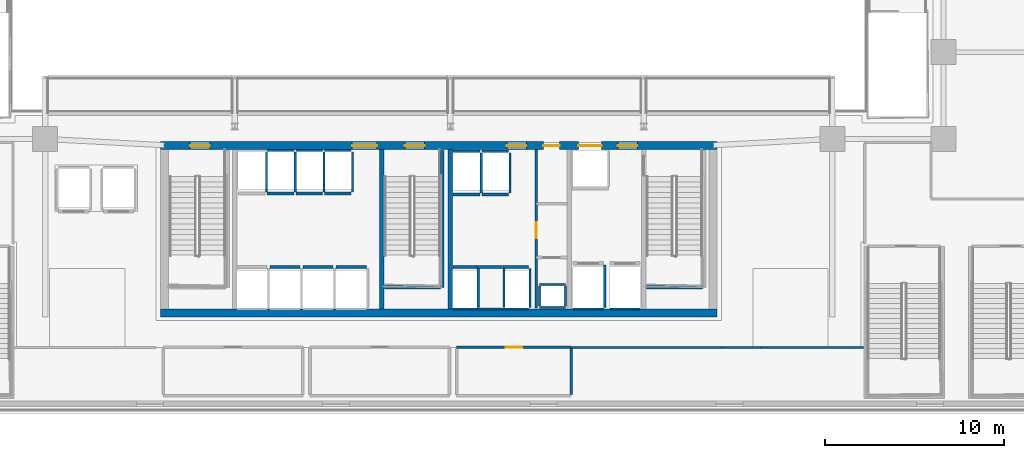
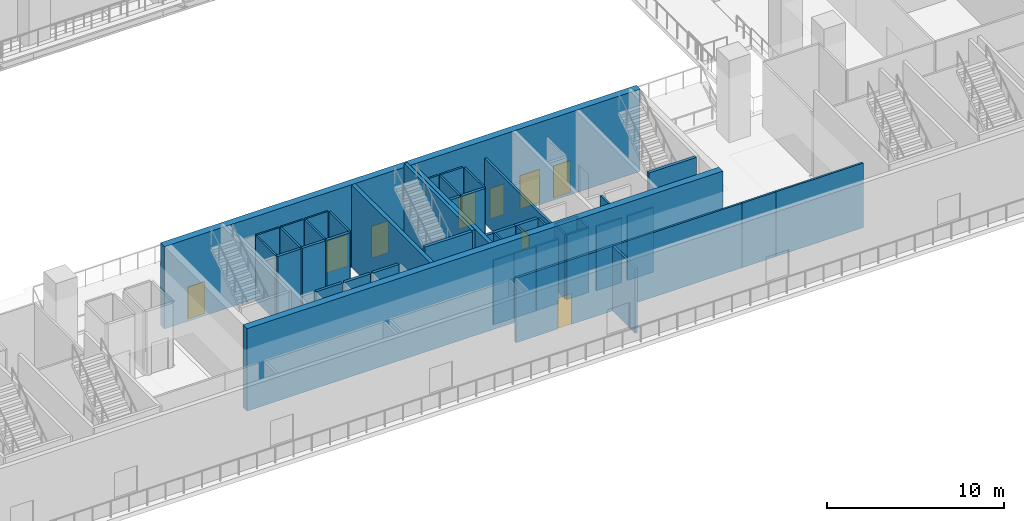
# One storey, part 9 of 28: 48 walls, 9 doors, 9 openings.
"""IFC4 building model written with IfcOpenShell, lengths in metres."""

from ifc_helpers import new_model, si_unit, direction, frame, frame_2d, origin, place, context, subcontext, project, spatial, rectangle, extrude, material, layer, layer_set, type_object, element, fill, save


model = new_model("IFC4")

# Units and contexts
model_context = context("Model", 3, precision=1e-05, world=origin(), true_north=direction((0.0, 1.0)))
body_context = subcontext(model_context, "Body", "Model", "MODEL_VIEW")
ifc_project = project(units=[si_unit("LENGTHUNIT", "METRE"), si_unit("AREAUNIT", "SQUARE_METRE"), si_unit("VOLUMEUNIT", "CUBIC_METRE"), si_unit("PLANEANGLEUNIT", "RADIAN"), si_unit("MASSUNIT", "GRAM", prefix="KILO")], contexts=[model_context])

# Site, building, storey
site_placement = place(None, origin())
site = spatial("IfcSite", under=ifc_project, at=site_placement, CompositionType="ELEMENT")
building_placement = place(site_placement, origin())
building = spatial("IfcBuilding", under=site, at=building_placement, Name="Ndaravel Arena Tower", CompositionType="ELEMENT")
storey_placement = place(building_placement, frame((0.0, 0.0, 18.0)))
storey = spatial("IfcBuildingStorey", under=building, at=storey_placement, Name="L03", CompositionType="ELEMENT", Elevation=18.0)

# Wall, opening, door
ifc_material_1 = material(Name="Gypsum", Category="gypsum")
ifc_layer_1 = layer(ifc_material_1, 0.14990234375)
ifc_layer_set_1 = layer_set([ifc_layer_1], Name="Gypsum")
wall_type_1 = type_object("IfcWallType", Name="WALL-COMP-150", PredefinedType="PARTITIONING", material=ifc_layer_set_1)
wall_1_placement = place(storey_placement, frame((47.449951171875, 5.89990234375, 0.0), z_axis=(0.0, 0.0, 1.0), x_axis=(0.0, 1.0, 0.0)))
wall_1 = element("IfcWall", 1, at=wall_1_placement, inside=storey, type_object=wall_type_1, Name="L03 Core Riser Bay Partition", PredefinedType="PARTITIONING", context=body_context, shape_type="SweptSolid", body=[
    extrude(rectangle(XDim=8.85009765625, YDim=0.14990234375, at=frame_2d((4.425048828125, 0.0))), origin(), (0.0, 0.0, 1.0), 4.469970703125),
])
opening_1_placement = place(wall_1_placement, frame((3.89990234375, 0.0, 0.0)))
opening_1 = element("IfcOpeningElement", 2, at=opening_1_placement, cuts=wall_1, Name="Opening RD-01", PredefinedType="OPENING", context=body_context, shape_type="SweptSolid", body=[
    extrude(rectangle(XDim=0.89990234375, YDim=2.10009765625, at=frame_2d((0.449951171875, 1.050048828125))), frame((0.0, 0.074951171875, 0.0), z_axis=(0.0, -1.0, 0.0), x_axis=(1.0, 0.0, 0.0)), (0.0, 0.0, 1.0), 0.14990234375),
])
ifc_material_2 = material(Name="Steel S355", Category="steel")
door_type_1 = type_object("IfcDoorType", Name="DT-08-RISER-900", OperationType="SINGLE_SWING_LEFT", PredefinedType="DOOR", material=ifc_material_2)
door_1_placement = place(opening_1_placement, origin())
door_1 = element("IfcDoor", 3, at=door_1_placement, inside=storey, type_object=door_type_1, Name="L03 Plumbing Riser Door", OperationType="SINGLE_SWING_LEFT", OverallHeight=2.10009765625, OverallWidth=0.89990234375, PredefinedType="DOOR", context=body_context, shape_type="SweptSolid", body=[
    extrude(rectangle(XDim=0.89990234375, YDim=2.10009765625, at=frame_2d((0.449951171875, 1.050048828125))), frame((0.0, 0.02490234375, 0.0), z_axis=(0.0, -1.0, 0.0), x_axis=(1.0, 0.0, 0.0)), (0.0, 0.0, 1.0), 0.050048828125),
])
fill(opening_1, door_1)

# Walls
ifc_material_3 = material(Name="Concrete C60/75", Category="concrete")
ifc_layer_2 = layer(ifc_material_3, 0.25)
ifc_layer_set_2 = layer_set([ifc_layer_2], Name="Concrete C60/75")
wall_type_2 = type_object("IfcWallType", Name="WALL-CORE-250", PredefinedType="SOLIDWALL", material=ifc_layer_set_2)
for number, where, z_axis, x_axis, name in (
    (4, (38.800048828125, 5.85009765625, 0.0), (0.0, 0.0, 1.0), (0.0, 1.0, 0.0), "L03 Core Web Shear Wall 2"),
    (5, (42.64990234375, 5.85009765625, 0.0), (0.0, 0.0, 1.0), (0.0, 1.0, 0.0), "L03 Core Web Shear Wall 3"),
):
    element("IfcWall", number, at=place(storey_placement, frame(where, z_axis=z_axis, x_axis=x_axis)), inside=storey, type_object=wall_type_2, Name=name, PredefinedType="SOLIDWALL", context=body_context, shape_type="SweptSolid", body=[
        extrude(rectangle(XDim=8.89990234375, YDim=0.25, at=frame_2d((4.449951171875, 0.0))), origin(), (0.0, 0.0, 1.0), 5.699951171875),
    ])

# Wall, openings, doors
ifc_material_4 = material(Name="Concrete C60/75", Category="concrete")
ifc_layer_3 = layer(ifc_material_4, 0.449951171875)
ifc_layer_set_3 = layer_set([ifc_layer_3], Name="Concrete C60/75")
wall_type_3 = type_object("IfcWallType", Name="WALL-CORE-450", PredefinedType="SOLIDWALL", material=ifc_layer_set_3)
wall_2_placement = place(storey_placement, frame((26.449951171875, 14.97509765625, 0.0), z_axis=(0.0, 0.0, 1.0), x_axis=(1.0, 0.0, 0.0)))
wall_2 = element("IfcWall", 6, at=wall_2_placement, inside=storey, type_object=wall_type_3, Name="L03 Core North Shear Wall", PredefinedType="SOLIDWALL", context=body_context, shape_type="SweptSolid", body=[
    extrude(rectangle(XDim=31.10009765625, YDim=0.449951171875, at=frame_2d((15.550048828125, 0.0))), origin(), (0.0, 0.0, 1.0), 5.699951171875),
])
opening_2_placement = place(wall_2_placement, frame((1.64990234375, 0.0, 0.0)))
opening_2 = element("IfcOpeningElement", 7, at=opening_2_placement, cuts=wall_2, Name="Opening FD-01", PredefinedType="OPENING", context=body_context, shape_type="SweptSolid", body=[
    extrude(rectangle(XDim=1.10009765625, YDim=2.199951171875, at=frame_2d((0.550048828125, 1.10009765625))), frame((0.0, 0.22509765625, 0.0), z_axis=(0.0, -1.0, 0.0), x_axis=(1.0, 0.0, 0.0)), (0.0, 0.0, 1.0), 0.449951171875),
])
opening_3_placement = place(wall_2_placement, frame((13.64990234375, 0.0, 0.0)))
opening_3 = element("IfcOpeningElement", 8, at=opening_3_placement, cuts=wall_2, Name="Opening FD-01", PredefinedType="OPENING", context=body_context, shape_type="SweptSolid", body=[
    extrude(rectangle(XDim=1.10009765625, YDim=2.199951171875, at=frame_2d((0.550048828125, 1.10009765625))), frame((0.0, 0.22509765625, 0.0), z_axis=(0.0, -1.0, 0.0), x_axis=(1.0, 0.0, 0.0)), (0.0, 0.0, 1.0), 0.449951171875),
])
opening_4_placement = place(wall_2_placement, frame((25.550048828125, 0.0, 0.0)))
opening_4 = element("IfcOpeningElement", 9, at=opening_4_placement, cuts=wall_2, Name="Opening FD-01", PredefinedType="OPENING", context=body_context, shape_type="SweptSolid", body=[
    extrude(rectangle(XDim=1.10009765625, YDim=2.199951171875, at=frame_2d((0.550048828125, 1.10009765625))), frame((0.0, 0.22509765625, 0.0), z_axis=(0.0, -1.0, 0.0), x_axis=(1.0, 0.0, 0.0)), (0.0, 0.0, 1.0), 0.449951171875),
])
opening_5_placement = place(wall_2_placement, frame((10.699951171875, 0.0, 0.0)))
opening_5 = element("IfcOpeningElement", 10, at=opening_5_placement, cuts=wall_2, Name="Opening ID-02", PredefinedType="OPENING", context=body_context, shape_type="SweptSolid", body=[
    extrude(rectangle(XDim=1.39990234375, YDim=2.199951171875, at=frame_2d((0.699951171875, 1.10009765625))), frame((0.0, 0.22509765625, 0.0), z_axis=(0.0, -1.0, 0.0), x_axis=(1.0, 0.0, 0.0)), (0.0, 0.0, 1.0), 0.449951171875),
])
opening_6_placement = place(wall_2_placement, frame((19.35009765625, 0.0, 0.0)))
opening_6 = element("IfcOpeningElement", 11, at=opening_6_placement, cuts=wall_2, Name="Opening FD-01", PredefinedType="OPENING", context=body_context, shape_type="SweptSolid", body=[
    extrude(rectangle(XDim=1.10009765625, YDim=2.199951171875, at=frame_2d((0.550048828125, 1.10009765625))), frame((0.0, 0.22509765625, 0.0), z_axis=(0.0, -1.0, 0.0), x_axis=(1.0, 0.0, 0.0)), (0.0, 0.0, 1.0), 0.449951171875),
])
opening_7_placement = place(wall_2_placement, frame((21.39990234375, 0.0, 0.0)))
opening_7 = element("IfcOpeningElement", 12, at=opening_7_placement, cuts=wall_2, Name="Opening RD-01", PredefinedType="OPENING", context=body_context, shape_type="SweptSolid", body=[
    extrude(rectangle(XDim=0.89990234375, YDim=2.10009765625, at=frame_2d((0.449951171875, 1.050048828125))), frame((0.0, 0.22509765625, 0.0), z_axis=(0.0, -1.0, 0.0), x_axis=(1.0, 0.0, 0.0)), (0.0, 0.0, 1.0), 0.449951171875),
])
opening_8_placement = place(wall_2_placement, frame((23.35009765625, 0.0, 0.0)))
opening_8 = element("IfcOpeningElement", 13, at=opening_8_placement, cuts=wall_2, Name="Opening LD-02", PredefinedType="OPENING", context=body_context, shape_type="SweptSolid", body=[
    extrude(rectangle(XDim=1.300048828125, YDim=2.300048828125, at=frame_2d((0.64990234375, 1.14990234375))), frame((0.0, 0.22509765625, 0.0), z_axis=(0.0, -1.0, 0.0), x_axis=(1.0, 0.0, 0.0)), (0.0, 0.0, 1.0), 0.449951171875),
])
ifc_material_5 = material(Name="Steel S355", Category="steel")
door_type_2 = type_object("IfcDoorType", Name="DT-01-STAIR-1100", OperationType="SINGLE_SWING_LEFT", PredefinedType="DOOR", material=ifc_material_5)
door_2_placement = place(opening_2_placement, origin())
door_2 = element("IfcDoor", 14, at=door_2_placement, inside=storey, type_object=door_type_2, Name="L03 Exit Stair ST-1 Door", OperationType="SINGLE_SWING_RIGHT", OverallHeight=2.199951171875, OverallWidth=1.10009765625, PredefinedType="DOOR", context=body_context, shape_type="SweptSolid", body=[
    extrude(rectangle(XDim=1.10009765625, YDim=2.199951171875, at=frame_2d((0.550048828125, 1.10009765625))), frame((0.0, 0.02490234375, 0.0), z_axis=(0.0, -1.0, 0.0), x_axis=(1.0, 0.0, 0.0)), (0.0, 0.0, 1.0), 0.050048828125),
])
fill(opening_2, door_2)
door_3_placement = place(opening_3_placement, origin())
door_3 = element("IfcDoor", 15, at=door_3_placement, inside=storey, type_object=door_type_2, Name="L03 Exit Stair ST-2 Door", OperationType="SINGLE_SWING_LEFT", OverallHeight=2.199951171875, OverallWidth=1.10009765625, PredefinedType="DOOR", context=body_context, shape_type="SweptSolid", body=[
    extrude(rectangle(XDim=1.10009765625, YDim=2.199951171875, at=frame_2d((0.550048828125, 1.10009765625))), frame((0.0, 0.02490234375, 0.0), z_axis=(0.0, -1.0, 0.0), x_axis=(1.0, 0.0, 0.0)), (0.0, 0.0, 1.0), 0.050048828125),
])
fill(opening_3, door_3)
door_4_placement = place(opening_4_placement, origin())
door_4 = element("IfcDoor", 16, at=door_4_placement, inside=storey, type_object=door_type_2, Name="L03 Firefighting Lift Lobby Door", OperationType="SINGLE_SWING_RIGHT", OverallHeight=2.199951171875, OverallWidth=1.10009765625, PredefinedType="DOOR", context=body_context, shape_type="SweptSolid", body=[
    extrude(rectangle(XDim=1.10009765625, YDim=2.199951171875, at=frame_2d((0.550048828125, 1.10009765625))), frame((0.0, 0.02490234375, 0.0), z_axis=(0.0, -1.0, 0.0), x_axis=(1.0, 0.0, 0.0)), (0.0, 0.0, 1.0), 0.050048828125),
])
fill(opening_4, door_4)
door_5_placement = place(opening_6_placement, origin())
door_5 = element("IfcDoor", 17, at=door_5_placement, inside=storey, type_object=door_type_2, Name="L03 Express Lift Lobby Entry Door", OperationType="SINGLE_SWING_LEFT", OverallHeight=2.199951171875, OverallWidth=1.10009765625, PredefinedType="DOOR", context=body_context, shape_type="SweptSolid", body=[
    extrude(rectangle(XDim=1.10009765625, YDim=2.199951171875, at=frame_2d((0.550048828125, 1.10009765625))), frame((0.0, 0.02490234375, 0.0), z_axis=(0.0, -1.0, 0.0), x_axis=(1.0, 0.0, 0.0)), (0.0, 0.0, 1.0), 0.050048828125),
])
fill(opening_6, door_5)
ifc_material_6 = material(Name="Timber", Category="wood")
door_type_3 = type_object("IfcDoorType", Name="DT-04-SUITE-1400", OperationType="DOUBLE_DOOR_SINGLE_SWING", PredefinedType="DOOR", material=ifc_material_6)
door_6_placement = place(opening_5_placement, origin())
door_6 = element("IfcDoor", 18, at=door_6_placement, inside=storey, type_object=door_type_3, Name="L03 West Lift Lobby Entry Door", OperationType="DOUBLE_DOOR_SINGLE_SWING", OverallHeight=2.199951171875, OverallWidth=1.39990234375, PredefinedType="DOOR", context=body_context, shape_type="SweptSolid", body=[
    extrude(rectangle(XDim=1.39990234375, YDim=2.199951171875, at=frame_2d((0.699951171875, 1.10009765625))), frame((0.0, 0.02490234375, 0.0), z_axis=(0.0, -1.0, 0.0), x_axis=(1.0, 0.0, 0.0)), (0.0, 0.0, 1.0), 0.050048828125),
])
fill(opening_5, door_6)
ifc_material_7 = material(Name="Steel S355", Category="steel")
door_type_4 = type_object("IfcDoorType", Name="DT-07-SVLIFT-1300", OperationType="DOUBLE_DOOR_SLIDING", PredefinedType="DOOR", material=ifc_material_7)
door_7_placement = place(opening_8_placement, origin())
door_7 = element("IfcDoor", 19, at=door_7_placement, inside=storey, type_object=door_type_4, Name="L03 Lift SVL-1 Sliding Landing Door", OperationType="DOUBLE_DOOR_SLIDING", OverallHeight=2.300048828125, OverallWidth=1.300048828125, PredefinedType="DOOR", context=body_context, shape_type="SweptSolid", body=[
    extrude(rectangle(XDim=1.300048828125, YDim=2.300048828125, at=frame_2d((0.64990234375, 1.14990234375))), frame((0.0, 0.02490234375, 0.0), z_axis=(0.0, -1.0, 0.0), x_axis=(1.0, 0.0, 0.0)), (0.0, 0.0, 1.0), 0.050048828125),
])
fill(opening_8, door_7)
door_8_placement = place(opening_7_placement, origin())
door_8 = element("IfcDoor", 20, at=door_8_placement, inside=storey, type_object=door_type_1, Name="L03 Core Service Riser North Door", OperationType="SINGLE_SWING_LEFT", OverallHeight=2.10009765625, OverallWidth=0.89990234375, PredefinedType="DOOR", context=body_context, shape_type="SweptSolid", body=[
    extrude(rectangle(XDim=0.89990234375, YDim=2.10009765625, at=frame_2d((0.449951171875, 1.050048828125))), frame((0.0, 0.02490234375, 0.0), z_axis=(0.0, -1.0, 0.0), x_axis=(1.0, 0.0, 0.0)), (0.0, 0.0, 1.0), 0.050048828125),
])
fill(opening_7, door_8)

# Walls
wall_3_placement = place(storey_placement, frame((26.449951171875, 5.625, 0.0), z_axis=(0.0, 0.0, 1.0), x_axis=(1.0, 0.0, 0.0)))
element("IfcWall", 21, at=wall_3_placement, inside=storey, type_object=wall_type_3, Name="L03 Core South Shear Wall", PredefinedType="SOLIDWALL", context=body_context, shape_type="SweptSolid", body=[
    extrude(rectangle(XDim=31.10009765625, YDim=0.449951171875, at=frame_2d((15.550048828125, 0.0))), origin(), (0.0, 0.0, 1.0), 5.699951171875),
])
ifc_material_8 = material(Name="Gypsum", Category="gypsum")
ifc_layer_4 = layer(ifc_material_8, 0.125)
ifc_layer_set_4 = layer_set([ifc_layer_4], Name="Gypsum")
wall_type_4 = type_object("IfcWallType", Name="WALL-PART-125", PredefinedType="PARTITIONING", material=ifc_layer_set_4)
wall_4_placement = place(storey_placement, frame((60.0, 3.699951171875, 0.0), z_axis=(0.0, 0.0, 1.0), x_axis=(-1.0, 0.0, 0.0)))
element("IfcWall", 22, at=wall_4_placement, inside=storey, type_object=wall_type_4, Name="L03 Interior Partition 001", PredefinedType="PARTITIONING", context=body_context, shape_type="SweptSolid", body=[
    extrude(rectangle(XDim=2.199951171875, YDim=0.125, at=frame_2d((1.10009765625, 0.0))), origin(), (0.0, 0.0, 1.0), 4.469970703125),
])
wall_5_placement = place(storey_placement, frame((57.800048828125, 3.699951171875, 0.0), z_axis=(0.0, 0.0, 1.0), x_axis=(-1.0, 0.0, 0.0)))
element("IfcWall", 23, at=wall_5_placement, inside=storey, type_object=wall_type_4, Name="L03 Interior Partition 002", PredefinedType="PARTITIONING", context=body_context, shape_type="SweptSolid", body=[
    extrude(rectangle(XDim=8.400146484375, YDim=0.125, at=frame_2d((4.2001953125, 0.0))), origin(), (0.0, 0.0, 1.0), 4.469970703125),
])
wall_6_placement = place(storey_placement, frame((65.72998046875, 3.699951171875, 0.0), z_axis=(0.0, 0.0, 1.0), x_axis=(-1.0, 0.0, 0.0)))
element("IfcWall", 24, at=wall_6_placement, inside=storey, type_object=wall_type_4, Name="L03 Interior Partition 025", PredefinedType="PARTITIONING", context=body_context, shape_type="SweptSolid", body=[
    extrude(rectangle(XDim=5.72998046875, YDim=0.125, at=frame_2d((2.864990234375, 0.0))), origin(), (0.0, 0.0, 1.0), 4.469970703125),
])
ifc_material_9 = material(Name="Concrete C40/50", Category="concrete")
ifc_layer_5 = layer(ifc_material_9, 0.1201171875)
ifc_layer_set_5 = layer_set([ifc_layer_5], Name="Concrete C40/50")
wall_type_5 = type_object("IfcWallType", Name="WALL-SHAFT-120", PredefinedType="SOLIDWALL", material=ifc_layer_set_5)
for number, where, z_axis, x_axis, name in (
    (25, (47.6201171875, 5.919921875, 0.0), (0.0, 0.0, 1.0), (1.0, 0.0, 0.0), "L03 MEP Riser Shaft S Wall"),
    (26, (47.6201171875, 7.219970703125, 0.0), (0.0, 0.0, 1.0), (1.0, 0.0, 0.0), "L03 MEP Riser Shaft N Wall"),
):
    element("IfcWall", number, at=place(storey_placement, frame(where, z_axis=z_axis, x_axis=x_axis)), inside=storey, type_object=wall_type_5, Name=name, PredefinedType="SOLIDWALL", context=body_context, shape_type="SweptSolid", body=[
        extrude(rectangle(XDim=1.4599609375, YDim=0.1201171875, at=frame_2d((0.72998046875, 0.0))), origin(), (0.0, 0.0, 1.0), 4.469970703125),
    ])
for number, where, z_axis, x_axis, name in (
    (27, (47.6201171875, 6.0, 0.0), (0.0, 0.0, 1.0), (0.0, 1.0, 0.0), "L03 MEP Riser Shaft W Wall"),
    (28, (49.080078125, 6.0, 0.0), (0.0, 0.0, 1.0), (0.0, 1.0, 0.0), "L03 MEP Riser Shaft E Wall"),
):
    element("IfcWall", number, at=place(storey_placement, frame(where, z_axis=z_axis, x_axis=x_axis)), inside=storey, type_object=wall_type_5, Name=name, PredefinedType="SOLIDWALL", context=body_context, shape_type="SweptSolid", body=[
        extrude(rectangle(XDim=1.139892578125, YDim=0.1201171875, at=frame_2d((0.56982421875, 0.0))), origin(), (0.0, 0.0, 1.0), 4.469970703125),
    ])
wall_7_placement = place(storey_placement, frame((32.375, 12.389892578125, 0.0), z_axis=(0.0, 0.0, 1.0), x_axis=(0.0, 1.0, 0.0)))
element("IfcWall", 29, at=wall_7_placement, inside=storey, type_object=wall_type_5, Name="L03 PL-M1 Shaft Side R Wall", PredefinedType="SOLIDWALL", context=body_context, shape_type="SweptSolid", body=[
    extrude(rectangle(XDim=2.230224609375, YDim=0.1201171875, at=frame_2d((1.115234375, 0.0))), origin(), (0.0, 0.0, 1.0), 4.469970703125),
])
wall_8_placement = place(storey_placement, frame((32.405029296875, 14.7099609375, 0.0), z_axis=(0.0, 0.0, 1.0), x_axis=(1.0, 0.0, 0.0)))
element("IfcWall", 30, at=wall_8_placement, inside=storey, type_object=wall_type_5, Name="L03 PL-M2 Shaft Rear Wall", PredefinedType="SOLIDWALL", context=body_context, shape_type="SweptSolid", body=[
    extrude(rectangle(XDim=1.489990234375, YDim=0.1201171875, at=frame_2d((0.7451171875, 0.0))), origin(), (0.0, 0.0, 1.0), 4.469970703125),
])
wall_9_placement = place(storey_placement, frame((33.97509765625, 12.389892578125, 0.0), z_axis=(0.0, 0.0, 1.0), x_axis=(0.0, 1.0, 0.0)))
element("IfcWall", 31, at=wall_9_placement, inside=storey, type_object=wall_type_5, Name="L03 PL-M2 Shaft Side R Wall", PredefinedType="SOLIDWALL", context=body_context, shape_type="SweptSolid", body=[
    extrude(rectangle(XDim=2.230224609375, YDim=0.1201171875, at=frame_2d((1.115234375, 0.0))), origin(), (0.0, 0.0, 1.0), 4.469970703125),
])
wall_10_placement = place(storey_placement, frame((34.0048828125, 14.7099609375, 0.0), z_axis=(0.0, 0.0, 1.0), x_axis=(1.0, 0.0, 0.0)))
element("IfcWall", 32, at=wall_10_placement, inside=storey, type_object=wall_type_5, Name="L03 PL-M3 Shaft Rear Wall", PredefinedType="SOLIDWALL", context=body_context, shape_type="SweptSolid", body=[
    extrude(rectangle(XDim=1.490234375, YDim=0.1201171875, at=frame_2d((0.7451171875, 0.0))), origin(), (0.0, 0.0, 1.0), 4.469970703125),
])
wall_11_placement = place(storey_placement, frame((35.574951171875, 12.389892578125, 0.0), z_axis=(0.0, 0.0, 1.0), x_axis=(0.0, 1.0, 0.0)))
element("IfcWall", 33, at=wall_11_placement, inside=storey, type_object=wall_type_5, Name="L03 PL-M3 Shaft Side R Wall", PredefinedType="SOLIDWALL", context=body_context, shape_type="SweptSolid", body=[
    extrude(rectangle(XDim=2.230224609375, YDim=0.1201171875, at=frame_2d((1.115234375, 0.0))), origin(), (0.0, 0.0, 1.0), 4.469970703125),
])
wall_12_placement = place(storey_placement, frame((35.60498046875, 14.7099609375, 0.0), z_axis=(0.0, 0.0, 1.0), x_axis=(1.0, 0.0, 0.0)))
element("IfcWall", 34, at=wall_12_placement, inside=storey, type_object=wall_type_5, Name="L03 PL-M4 Shaft Rear Wall", PredefinedType="SOLIDWALL", context=body_context, shape_type="SweptSolid", body=[
    extrude(rectangle(XDim=1.489990234375, YDim=0.1201171875, at=frame_2d((0.7451171875, 0.0))), origin(), (0.0, 0.0, 1.0), 4.469970703125),
])
wall_13_placement = place(storey_placement, frame((37.175048828125, 12.389892578125, 0.0), z_axis=(0.0, 0.0, 1.0), x_axis=(0.0, 1.0, 0.0)))
element("IfcWall", 35, at=wall_13_placement, inside=storey, type_object=wall_type_5, Name="L03 PL-M4 Shaft Side R Wall", PredefinedType="SOLIDWALL", context=body_context, shape_type="SweptSolid", body=[
    extrude(rectangle(XDim=2.230224609375, YDim=0.1201171875, at=frame_2d((1.115234375, 0.0))), origin(), (0.0, 0.0, 1.0), 4.469970703125),
])
wall_14_placement = place(storey_placement, frame((42.780029296875, 5.840087890625, 0.0), z_axis=(0.0, 0.0, 1.0), x_axis=(1.0, 0.0, 0.0)))
element("IfcWall", 36, at=wall_14_placement, inside=storey, type_object=wall_type_5, Name="L03 PL-H1 Shaft Rear Wall", PredefinedType="SOLIDWALL", context=body_context, shape_type="SweptSolid", body=[
    extrude(rectangle(XDim=1.340087890625, YDim=0.1201171875, at=frame_2d((0.669921875, 0.0))), origin(), (0.0, 0.0, 1.0), 4.469970703125),
])
wall_15_placement = place(storey_placement, frame((44.199951171875, 5.929931640625, 0.0), z_axis=(0.0, 0.0, 1.0), x_axis=(0.0, 1.0, 0.0)))
element("IfcWall", 37, at=wall_15_placement, inside=storey, type_object=wall_type_5, Name="L03 PL-H1 Shaft Side R Wall", PredefinedType="SOLIDWALL", context=body_context, shape_type="SweptSolid", body=[
    extrude(rectangle(XDim=2.18017578125, YDim=0.1201171875, at=frame_2d((1.090087890625, 0.0))), origin(), (0.0, 0.0, 1.0), 4.469970703125),
])
wall_16_placement = place(storey_placement, frame((44.1298828125, 5.840087890625, 0.0), z_axis=(0.0, 0.0, 1.0), x_axis=(1.0, 0.0, 0.0)))
element("IfcWall", 38, at=wall_16_placement, inside=storey, type_object=wall_type_5, Name="L03 PL-H2 Shaft Rear Wall", PredefinedType="SOLIDWALL", context=body_context, shape_type="SweptSolid", body=[
    extrude(rectangle(XDim=1.440185546875, YDim=0.1201171875, at=frame_2d((0.72021484375, 0.0))), origin(), (0.0, 0.0, 1.0), 4.469970703125),
])
wall_17_placement = place(storey_placement, frame((45.64990234375, 5.929931640625, 0.0), z_axis=(0.0, 0.0, 1.0), x_axis=(0.0, 1.0, 0.0)))
element("IfcWall", 39, at=wall_17_placement, inside=storey, type_object=wall_type_5, Name="L03 PL-H2 Shaft Side R Wall", PredefinedType="SOLIDWALL", context=body_context, shape_type="SweptSolid", body=[
    extrude(rectangle(XDim=2.18017578125, YDim=0.1201171875, at=frame_2d((1.090087890625, 0.0))), origin(), (0.0, 0.0, 1.0), 4.469970703125),
])
wall_18_placement = place(storey_placement, frame((45.580078125, 5.840087890625, 0.0), z_axis=(0.0, 0.0, 1.0), x_axis=(1.0, 0.0, 0.0)))
element("IfcWall", 40, at=wall_18_placement, inside=storey, type_object=wall_type_5, Name="L03 PL-H3 Shaft Rear Wall", PredefinedType="SOLIDWALL", context=body_context, shape_type="SweptSolid", body=[
    extrude(rectangle(XDim=1.43994140625, YDim=0.1201171875, at=frame_2d((0.719970703125, 0.0))), origin(), (0.0, 0.0, 1.0), 4.469970703125),
])
wall_19_placement = place(storey_placement, frame((47.10009765625, 5.929931640625, 0.0), z_axis=(0.0, 0.0, 1.0), x_axis=(0.0, 1.0, 0.0)))
element("IfcWall", 41, at=wall_19_placement, inside=storey, type_object=wall_type_5, Name="L03 PL-H3 Shaft Side R Wall", PredefinedType="SOLIDWALL", context=body_context, shape_type="SweptSolid", body=[
    extrude(rectangle(XDim=2.18017578125, YDim=0.1201171875, at=frame_2d((1.090087890625, 0.0))), origin(), (0.0, 0.0, 1.0), 4.469970703125),
])
wall_20_placement = place(storey_placement, frame((42.804931640625, 14.659912109375, 0.0), z_axis=(0.0, 0.0, 1.0), x_axis=(1.0, 0.0, 0.0)))
element("IfcWall", 42, at=wall_20_placement, inside=storey, type_object=wall_type_5, Name="L03 PL-OBS1 Shaft Rear Wall", PredefinedType="SOLIDWALL", context=body_context, shape_type="SweptSolid", body=[
    extrude(rectangle(XDim=1.489990234375, YDim=0.1201171875, at=frame_2d((0.7451171875, 0.0))), origin(), (0.0, 0.0, 1.0), 4.469970703125),
])
wall_21_placement = place(storey_placement, frame((44.375, 12.340087890625, 0.0), z_axis=(0.0, 0.0, 1.0), x_axis=(0.0, 1.0, 0.0)))
element("IfcWall", 43, at=wall_21_placement, inside=storey, type_object=wall_type_5, Name="L03 PL-OBS1 Shaft Side R Wall", PredefinedType="SOLIDWALL", context=body_context, shape_type="SweptSolid", body=[
    extrude(rectangle(XDim=2.22998046875, YDim=0.1201171875, at=frame_2d((1.114990234375, 0.0))), origin(), (0.0, 0.0, 1.0), 4.469970703125),
])
wall_22_placement = place(storey_placement, frame((44.405029296875, 14.659912109375, 0.0), z_axis=(0.0, 0.0, 1.0), x_axis=(1.0, 0.0, 0.0)))
element("IfcWall", 44, at=wall_22_placement, inside=storey, type_object=wall_type_5, Name="L03 PL-OBS2 Shaft Rear Wall", PredefinedType="SOLIDWALL", context=body_context, shape_type="SweptSolid", body=[
    extrude(rectangle(XDim=1.489990234375, YDim=0.1201171875, at=frame_2d((0.7451171875, 0.0))), origin(), (0.0, 0.0, 1.0), 4.469970703125),
])
wall_23_placement = place(storey_placement, frame((45.97509765625, 12.340087890625, 0.0), z_axis=(0.0, 0.0, 1.0), x_axis=(0.0, 1.0, 0.0)))
element("IfcWall", 45, at=wall_23_placement, inside=storey, type_object=wall_type_5, Name="L03 PL-OBS2 Shaft Side R Wall", PredefinedType="SOLIDWALL", context=body_context, shape_type="SweptSolid", body=[
    extrude(rectangle(XDim=2.22998046875, YDim=0.1201171875, at=frame_2d((1.114990234375, 0.0))), origin(), (0.0, 0.0, 1.0), 4.469970703125),
])
wall_24_placement = place(storey_placement, frame((49.5048828125, 5.840087890625, 0.0), z_axis=(0.0, 0.0, 1.0), x_axis=(1.0, 0.0, 0.0)))
element("IfcWall", 46, at=wall_24_placement, inside=storey, type_object=wall_type_5, Name="L03 FFL-1 Shaft Rear Wall", PredefinedType="SOLIDWALL", context=body_context, shape_type="SweptSolid", body=[
    extrude(rectangle(XDim=1.690185546875, YDim=0.1201171875, at=frame_2d((0.84521484375, 0.0))), origin(), (0.0, 0.0, 1.0), 4.469970703125),
])
wall_25_placement = place(storey_placement, frame((51.27490234375, 5.929931640625, 0.0), z_axis=(0.0, 0.0, 1.0), x_axis=(0.0, 1.0, 0.0)))
element("IfcWall", 47, at=wall_25_placement, inside=storey, type_object=wall_type_5, Name="L03 FFL-1 Shaft Side R Wall", PredefinedType="SOLIDWALL", context=body_context, shape_type="SweptSolid", body=[
    extrude(rectangle(XDim=2.380126953125, YDim=0.1201171875, at=frame_2d((1.18994140625, 0.0))), origin(), (0.0, 0.0, 1.0), 4.469970703125),
])
wall_26_placement = place(storey_placement, frame((51.554931640625, 5.840087890625, 0.0), z_axis=(0.0, 0.0, 1.0), x_axis=(1.0, 0.0, 0.0)))
element("IfcWall", 48, at=wall_26_placement, inside=storey, type_object=wall_type_5, Name="L03 FFL-2 Shaft Rear Wall", PredefinedType="SOLIDWALL", context=body_context, shape_type="SweptSolid", body=[
    extrude(rectangle(XDim=1.690185546875, YDim=0.1201171875, at=frame_2d((0.84521484375, 0.0))), origin(), (0.0, 0.0, 1.0), 4.469970703125),
])
ifc_material_10 = material(Name="Concrete C40/50", Category="concrete")
ifc_layer_6 = layer(ifc_material_10, 0.199951171875)
ifc_layer_set_6 = layer_set([ifc_layer_6], Name="Concrete C40/50")
wall_type_6 = type_object("IfcWallType", Name="WALL-SHAFT-200", PredefinedType="SOLIDWALL", material=ifc_layer_set_6)
wall_27_placement = place(storey_placement, frame((42.18994140625, 14.699951171875, 0.0), z_axis=(0.0, 0.0, 1.0), x_axis=(0.0, -1.0, 0.0)))
element("IfcWall", 49, at=wall_27_placement, inside=storey, type_object=wall_type_6, Name="L03 ST-2 Structural Shaft Wall Right", PredefinedType="SOLIDWALL", context=body_context, shape_type="SweptSolid", body=[
    extrude(rectangle(XDim=7.64990234375, YDim=0.199951171875, at=frame_2d((3.824951171875, 0.0))), origin(), (0.0, 0.0, 1.0), 6.0),
])
for number, where, z_axis, x_axis, name in (
    (50, (38.969970703125, 7.050048828125, 0.0), (0.0, 0.0, 1.0), (1.0, 0.0, 0.0), "L03 ST-2 Structural Shaft Wall Far"),
    (51, (53.6201171875, 7.050048828125, 0.0), (0.0, 0.0, 1.0), (1.0, 0.0, 0.0), "L03 ST-3 Structural Shaft Wall Far"),
):
    element("IfcWall", number, at=place(storey_placement, frame(where, z_axis=z_axis, x_axis=x_axis)), inside=storey, type_object=wall_type_6, Name=name, PredefinedType="SOLIDWALL", context=body_context, shape_type="SweptSolid", body=[
        extrude(rectangle(XDim=3.114990234375, YDim=0.199951171875, at=frame_2d((1.5576171875, 0.0))), origin(), (0.0, 0.0, 1.0), 6.0),
    ])
wall_28_placement = place(storey_placement, frame((32.554931640625, 8.199951171875, 0.0), z_axis=(0.0, 0.0, 1.0), x_axis=(1.0, 0.0, 0.0)))
element("IfcWall", 52, at=wall_28_placement, inside=storey, type_object=wall_type_6, Name="L03 PL-L2 Shaft Landing Wall", PredefinedType="SOLIDWALL", context=body_context, shape_type="SweptSolid", body=[
    extrude(rectangle(XDim=1.690185546875, YDim=0.179931640625, at=frame_2d((0.84521484375, 0.0))), origin(), (0.0, 0.0, 1.0), 4.469970703125),
])
wall_29_placement = place(storey_placement, frame((34.405029296875, 8.199951171875, 0.0), z_axis=(0.0, 0.0, 1.0), x_axis=(1.0, 0.0, 0.0)))
element("IfcWall", 53, at=wall_29_placement, inside=storey, type_object=wall_type_6, Name="L03 PL-L3 Shaft Landing Wall", PredefinedType="SOLIDWALL", context=body_context, shape_type="SweptSolid", body=[
    extrude(rectangle(XDim=1.68994140625, YDim=0.179931640625, at=frame_2d((0.844970703125, 0.0))), origin(), (0.0, 0.0, 1.0), 4.469970703125),
])
wall_30_placement = place(storey_placement, frame((36.2548828125, 8.199951171875, 0.0), z_axis=(0.0, 0.0, 1.0), x_axis=(1.0, 0.0, 0.0)))
element("IfcWall", 54, at=wall_30_placement, inside=storey, type_object=wall_type_6, Name="L03 PL-L4 Shaft Landing Wall", PredefinedType="SOLIDWALL", context=body_context, shape_type="SweptSolid", body=[
    extrude(rectangle(XDim=1.690185546875, YDim=0.179931640625, at=frame_2d((0.84521484375, 0.0))), origin(), (0.0, 0.0, 1.0), 4.469970703125),
])
wall_31_placement = place(storey_placement, frame((32.405029296875, 12.300048828125, 0.0), z_axis=(0.0, 0.0, 1.0), x_axis=(1.0, 0.0, 0.0)))
element("IfcWall", 55, at=wall_31_placement, inside=storey, type_object=wall_type_6, Name="L03 PL-M2 Shaft Landing Wall", PredefinedType="SOLIDWALL", context=body_context, shape_type="SweptSolid", body=[
    extrude(rectangle(XDim=1.489990234375, YDim=0.179931640625, at=frame_2d((0.7451171875, 0.0))), origin(), (0.0, 0.0, 1.0), 4.469970703125),
])
wall_32_placement = place(storey_placement, frame((34.0048828125, 12.300048828125, 0.0), z_axis=(0.0, 0.0, 1.0), x_axis=(1.0, 0.0, 0.0)))
element("IfcWall", 56, at=wall_32_placement, inside=storey, type_object=wall_type_6, Name="L03 PL-M3 Shaft Landing Wall", PredefinedType="SOLIDWALL", context=body_context, shape_type="SweptSolid", body=[
    extrude(rectangle(XDim=1.490234375, YDim=0.179931640625, at=frame_2d((0.7451171875, 0.0))), origin(), (0.0, 0.0, 1.0), 4.469970703125),
])
wall_33_placement = place(storey_placement, frame((35.60498046875, 12.300048828125, 0.0), z_axis=(0.0, 0.0, 1.0), x_axis=(1.0, 0.0, 0.0)))
element("IfcWall", 57, at=wall_33_placement, inside=storey, type_object=wall_type_6, Name="L03 PL-M4 Shaft Landing Wall", PredefinedType="SOLIDWALL", context=body_context, shape_type="SweptSolid", body=[
    extrude(rectangle(XDim=1.489990234375, YDim=0.179931640625, at=frame_2d((0.7451171875, 0.0))), origin(), (0.0, 0.0, 1.0), 4.469970703125),
])
wall_34_placement = place(storey_placement, frame((42.780029296875, 8.199951171875, 0.0), z_axis=(0.0, 0.0, 1.0), x_axis=(1.0, 0.0, 0.0)))
element("IfcWall", 58, at=wall_34_placement, inside=storey, type_object=wall_type_6, Name="L03 PL-H1 Shaft Landing Wall", PredefinedType="SOLIDWALL", context=body_context, shape_type="SweptSolid", body=[
    extrude(rectangle(XDim=1.340087890625, YDim=0.179931640625, at=frame_2d((0.669921875, 0.0))), origin(), (0.0, 0.0, 1.0), 4.469970703125),
])
wall_35_placement = place(storey_placement, frame((44.1298828125, 8.199951171875, 0.0), z_axis=(0.0, 0.0, 1.0), x_axis=(1.0, 0.0, 0.0)))
element("IfcWall", 59, at=wall_35_placement, inside=storey, type_object=wall_type_6, Name="L03 PL-H2 Shaft Landing Wall", PredefinedType="SOLIDWALL", context=body_context, shape_type="SweptSolid", body=[
    extrude(rectangle(XDim=1.440185546875, YDim=0.179931640625, at=frame_2d((0.72021484375, 0.0))), origin(), (0.0, 0.0, 1.0), 4.469970703125),
])
wall_36_placement = place(storey_placement, frame((45.580078125, 8.199951171875, 0.0), z_axis=(0.0, 0.0, 1.0), x_axis=(1.0, 0.0, 0.0)))
element("IfcWall", 60, at=wall_36_placement, inside=storey, type_object=wall_type_6, Name="L03 PL-H3 Shaft Landing Wall", PredefinedType="SOLIDWALL", context=body_context, shape_type="SweptSolid", body=[
    extrude(rectangle(XDim=1.43994140625, YDim=0.179931640625, at=frame_2d((0.719970703125, 0.0))), origin(), (0.0, 0.0, 1.0), 4.469970703125),
])
for number, where, z_axis, x_axis, name in (
    (61, (42.804931640625, 12.25, 0.0), (0.0, 0.0, 1.0), (1.0, 0.0, 0.0), "L03 PL-OBS1 Shaft Landing Wall"),
    (62, (44.405029296875, 12.25, 0.0), (0.0, 0.0, 1.0), (1.0, 0.0, 0.0), "L03 PL-OBS2 Shaft Landing Wall"),
):
    element("IfcWall", number, at=place(storey_placement, frame(where, z_axis=z_axis, x_axis=x_axis)), inside=storey, type_object=wall_type_6, Name=name, PredefinedType="SOLIDWALL", context=body_context, shape_type="SweptSolid", body=[
        extrude(rectangle(XDim=1.489990234375, YDim=0.179931640625, at=frame_2d((0.7451171875, 0.0))), origin(), (0.0, 0.0, 1.0), 4.469970703125),
    ])

# Wall, opening, door
ifc_material_11 = material(Name="Masonry", Category="masonry")
ifc_layer_7 = layer(ifc_material_11, 0.14990234375)
ifc_layer_set_7 = layer_set([ifc_layer_7], Name="Masonry")
wall_type_7 = type_object("IfcWallType", Name="WALL-WET-150", PredefinedType="PARTITIONING", material=ifc_layer_set_7)
wall_37_placement = place(storey_placement, frame((49.39990234375, 3.699951171875, 0.0), z_axis=(0.0, 0.0, 1.0), x_axis=(-1.0, 0.0, 0.0)))
wall_37 = element("IfcWall", 63, at=wall_37_placement, inside=storey, type_object=wall_type_7, Name="L03 Interior Partition 003", PredefinedType="PARTITIONING", context=body_context, shape_type="SweptSolid", body=[
    extrude(rectangle(XDim=6.39990234375, YDim=0.14990234375, at=frame_2d((3.199951171875, 0.0))), origin(), (0.0, 0.0, 1.0), 4.469970703125),
])
opening_9_placement = place(wall_37_placement, frame((2.75, 0.0, 0.0)))
opening_9 = element("IfcOpeningElement", 64, at=opening_9_placement, cuts=wall_37, Name="Opening WD-01", PredefinedType="OPENING", context=body_context, shape_type="SweptSolid", body=[
    extrude(rectangle(XDim=0.89990234375, YDim=2.14990234375, at=frame_2d((0.449951171875, 1.074951171875))), frame((0.0, 0.074951171875, 0.0), z_axis=(0.0, -1.0, 0.0), x_axis=(1.0, 0.0, 0.0)), (0.0, 0.0, 1.0), 0.14990234375),
])
ifc_material_12 = material(Name="Timber", Category="wood")
door_type_5 = type_object("IfcDoorType", Name="DT-05-WC-900", OperationType="SINGLE_SWING_LEFT", PredefinedType="DOOR", material=ifc_material_12)
door_9_placement = place(opening_9_placement, origin())
door_9 = element("IfcDoor", 65, at=door_9_placement, inside=storey, type_object=door_type_5, Name="L03 Upper Accessible WC Door", OperationType="SINGLE_SWING_RIGHT", OverallHeight=2.14990234375, OverallWidth=0.89990234375, PredefinedType="DOOR", context=body_context, shape_type="SweptSolid", body=[
    extrude(rectangle(XDim=0.89990234375, YDim=2.14990234375, at=frame_2d((0.449951171875, 1.074951171875))), frame((0.0, 0.02490234375, 0.0), z_axis=(0.0, -1.0, 0.0), x_axis=(1.0, 0.0, 0.0)), (0.0, 0.0, 1.0), 0.050048828125),
])
fill(opening_9, door_9)

# Wall
wall_38_placement = place(storey_placement, frame((49.39990234375, 3.635009765625, 0.0), z_axis=(0.0, 0.0, 1.0), x_axis=(0.0, -1.0, 0.0)))
element("IfcWall", 66, at=wall_38_placement, inside=storey, type_object=wall_type_7, Name="L03 Interior Partition 041", PredefinedType="PARTITIONING", context=body_context, shape_type="SweptSolid", body=[
    extrude(rectangle(XDim=2.570068359375, YDim=0.14990234375, at=frame_2d((1.28515625, 0.0))), origin(), (0.0, 0.0, 1.0), 4.469970703125),
])

save(model, "model.ifc")
